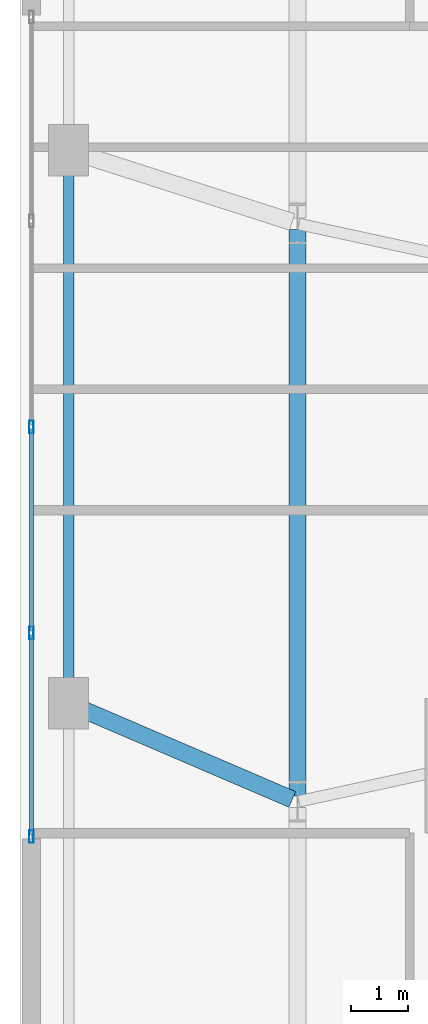
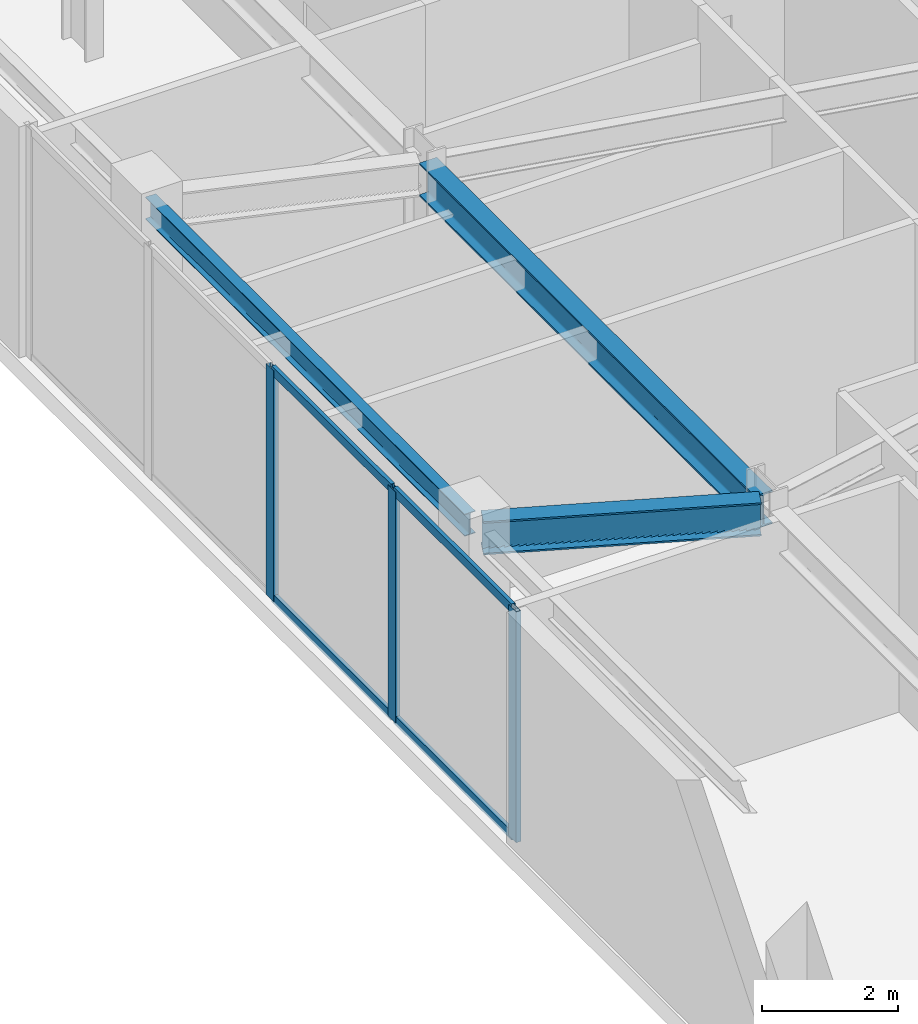
# One storey, part 5 of 21: 7 members, 3 beams, 1 element without a shape of its own.
"""IFC4 building model written with IfcOpenShell, lengths in metres."""

from ifc_helpers import new_model, si_unit, direction, frame, origin, origin_2d, place, context, subcontext, project, spatial, hollow_rectangle, i_section, extrude, material, layer, layer_set, material_profile, profile_set, type_object, element, aggregate, save


model = new_model("IFC4")

# Units and contexts
model_context = context("Model", 3, precision=1e-05, world=origin(), true_north=direction((0.0, 1.0)))
body_context = subcontext(model_context, "Body", "Model", "MODEL_VIEW")
ifc_project = project(units=[si_unit("LENGTHUNIT", "METRE"), si_unit("AREAUNIT", "SQUARE_METRE"), si_unit("VOLUMEUNIT", "CUBIC_METRE"), si_unit("PLANEANGLEUNIT", "RADIAN"), si_unit("MASSUNIT", "GRAM", prefix="KILO")], contexts=[model_context])

# Site, building, storey
site_placement = place(None, origin())
site = spatial("IfcSite", under=ifc_project, at=site_placement, CompositionType="ELEMENT")
building_placement = place(site_placement, origin())
building = spatial("IfcBuilding", under=site, at=building_placement, Name="Qobustan Lattice House", CompositionType="ELEMENT")
storey_placement = place(building_placement, frame((0.0, 0.0, 22.5)))
storey = spatial("IfcBuildingStorey", under=building, at=storey_placement, Name="L05", CompositionType="ELEMENT", Elevation=22.5)

# Beams
ifc_material_1 = material(Name="Steel S355", Category="steel")
ifc_material_profile_1 = material_profile(ifc_material_1, i_section(OverallWidth=0.300048828125, OverallDepth=0.60009765625, WebThickness=0.015380859375, FlangeThickness=0.030029296875, FilletRadius=0.027099609375, at=origin_2d()), Name="HEB600")
ifc_profile_set_1 = profile_set([ifc_material_profile_1], Name="Steel S355")
beam_type_1 = type_object("IfcBeamType", Name="BM-POD-HEB600", PredefinedType="USERDEFINED", material=ifc_profile_set_1)
beam_1_placement = place(storey_placement, frame((-32.14990234375, 4.949951171875, 3.860107421875), z_axis=(0.0, -1.0, 0.0), x_axis=(1.0, 0.0, 0.0)))
element("IfcBeam", 1, at=beam_1_placement, inside=storey, type_object=beam_type_1, Name="L05 tower base ring girder W2-W3", ObjectType="GIRDER", PredefinedType="USERDEFINED", context=body_context, shape_type="SweptSolid", body=[
    extrude(i_section(OverallWidth=0.300048828125, OverallDepth=0.60009765625, WebThickness=0.015380859375, FlangeThickness=0.030029296875, FilletRadius=0.027099609375, at=origin_2d()), origin(), (0.0, 0.0, 1.0), 9.89990234375),
])
beam_2_placement = place(storey_placement, frame((-36.039794921875, -3.380615234375, 3.860107421875), z_axis=(0.918949362679, -0.394375542893, 0.0), x_axis=(0.394375542893, 0.918949362679, 0.0)))
element("IfcBeam", 2, at=beam_2_placement, inside=storey, type_object=beam_type_1, Name="L05 podium radial girder PW2", ObjectType="GIRDER", PredefinedType="USERDEFINED", context=body_context, shape_type="SweptSolid", body=[
    extrude(i_section(OverallWidth=0.300048828125, OverallDepth=0.60009765625, WebThickness=0.015380859375, FlangeThickness=0.030029296875, FilletRadius=0.027099609375, at=origin_2d()), origin(), (0.0, 0.0, 1.0), 4.1328125),
])
ifc_material_2 = material(Name="Steel S355", Category="steel")
ifc_material_profile_2 = material_profile(ifc_material_2, i_section(OverallWidth=0.179931640625, OverallDepth=0.39990234375, WebThickness=0.008544921875, FlangeThickness=0.013427734375, FilletRadius=0.02099609375, at=origin_2d()), Name="IPE400")
ifc_profile_set_2 = profile_set([ifc_material_profile_2], Name="Steel S355")
beam_type_2 = type_object("IfcBeamType", Name="BM-SPD-IPE400", PredefinedType="SPANDREL", material=ifc_profile_set_2)
beam_3_placement = place(storey_placement, frame((-36.14990234375, -3.21337890625, 3.9599609375), z_axis=(0.0, 1.0, 0.0), x_axis=(-1.0, 0.0, 0.0)))
element("IfcBeam", 3, at=beam_3_placement, inside=storey, type_object=beam_type_2, Name="L05 podium spandrel PW2-PW3", PredefinedType="SPANDREL", context=body_context, shape_type="SweptSolid", body=[
    extrude(i_section(OverallWidth=0.179931640625, OverallDepth=0.39990234375, WebThickness=0.008544921875, FlangeThickness=0.013427734375, FilletRadius=0.02099609375, at=origin_2d()), origin(), (0.0, 0.0, 1.0), 9.4267578125),
])

# Curtain wall, members
ifc_material_3 = material(Name="Anodised aluminium and low-E glazing", Category="aluminium")
ifc_layer = layer(ifc_material_3, 0.219970703125)
ifc_layer_set = layer_set([ifc_layer], Name="Anodised aluminium and low-E glazing")
curtain_wall_type = type_object("IfcCurtainWallType", Name="CW-POD-01", PredefinedType="USERDEFINED", material=ifc_layer_set)
curtain_wall_placement = place(storey_placement, origin())
curtain_wall = element("IfcCurtainWall", 4, at=curtain_wall_placement, inside=storey, type_object=curtain_wall_type, Name="L05 W podium colonnade curtain wall", ObjectType="CURTAIN WALL", PredefinedType="USERDEFINED")
ifc_material_4 = material(Name="Anodised aluminium EN AW-6063 T6", Category="aluminium")
ifc_material_profile_3 = material_profile(ifc_material_4, hollow_rectangle(XDim=0.080078125, YDim=0.219970703125, WallThickness=0.0048828125, at=origin_2d()), Name="CWM-220x80")
ifc_profile_set_3 = profile_set([ifc_material_profile_3], Name="Anodised aluminium EN AW-6063 T6")
member_type_1 = type_object("IfcMemberType", Name="CWM-MAIN-220", PredefinedType="MULLION", material=ifc_profile_set_3)
member_1_placement = place(storey_placement, frame((-36.800048828125, -5.659912109375, 0.0), z_axis=(0.0, 0.0, 1.0), x_axis=(-1.0, 0.0, 0.0)))
member_1 = element("IfcMember", 5, at=member_1_placement, type_object=member_type_1, Name="CW-P1 mullion 1", PredefinedType="MULLION", context=body_context, shape_type="SweptSolid", body=[
    extrude(hollow_rectangle(XDim=0.080078125, YDim=0.219970703125, WallThickness=0.0048828125, at=origin_2d()), origin(), (0.0, 0.0, 1.0), 4.159912109375),
])
member_2_placement = place(storey_placement, frame((-36.800048828125, -2.10009765625, 0.0), z_axis=(0.0, 0.0, 1.0), x_axis=(-1.0, 0.0, 0.0)))
member_2 = element("IfcMember", 6, at=member_2_placement, type_object=member_type_1, Name="CW-P1 mullion 2", PredefinedType="MULLION", context=body_context, shape_type="SweptSolid", body=[
    extrude(hollow_rectangle(XDim=0.080078125, YDim=0.219970703125, WallThickness=0.0048828125, at=origin_2d()), origin(), (0.0, 0.0, 1.0), 4.159912109375),
])
member_3_placement = place(storey_placement, frame((-36.800048828125, 1.5, 0.0), z_axis=(0.0, 0.0, 1.0), x_axis=(-1.0, 0.0, 0.0)))
member_3 = element("IfcMember", 7, at=member_3_placement, type_object=member_type_1, Name="CW-P1 mullion 3", PredefinedType="MULLION", context=body_context, shape_type="SweptSolid", body=[
    extrude(hollow_rectangle(XDim=0.080078125, YDim=0.219970703125, WallThickness=0.0048828125, at=origin_2d()), origin(), (0.0, 0.0, 1.0), 4.159912109375),
])
ifc_material_5 = material(Name="Anodised aluminium EN AW-6063 T6", Category="aluminium")
ifc_material_profile_4 = material_profile(ifc_material_5, hollow_rectangle(XDim=0.06494140625, YDim=0.159912109375, WallThickness=0.00390625, at=origin_2d()), Name="CWT-160x65")
ifc_profile_set_4 = profile_set([ifc_material_profile_4], Name="Anodised aluminium EN AW-6063 T6")
member_type_2 = type_object("IfcMemberType", Name="CWT-HOR-160", PredefinedType="USERDEFINED", material=ifc_profile_set_4)
member_4_placement = place(storey_placement, frame((-36.800048828125, -5.6201171875, 0.032470703125), z_axis=(0.0, 1.0, 0.0), x_axis=(-1.0, 0.0, 0.0)))
member_4 = element("IfcMember", 8, at=member_4_placement, type_object=member_type_2, Name="CW-P1 transom 1.1", ObjectType="TRANSOM", PredefinedType="USERDEFINED", context=body_context, shape_type="SweptSolid", body=[
    extrude(hollow_rectangle(XDim=0.06494140625, YDim=0.159912109375, WallThickness=0.00390625, at=origin_2d()), origin(), (0.0, 0.0, 1.0), 3.480224609375),
])
member_5_placement = place(storey_placement, frame((-36.800048828125, -5.6201171875, 4.12744140625), z_axis=(0.0, 1.0, 0.0), x_axis=(-1.0, 0.0, 0.0)))
member_5 = element("IfcMember", 9, at=member_5_placement, type_object=member_type_2, Name="CW-P1 transom 1.2", ObjectType="TRANSOM", PredefinedType="USERDEFINED", context=body_context, shape_type="SweptSolid", body=[
    extrude(hollow_rectangle(XDim=0.06494140625, YDim=0.159912109375, WallThickness=0.00390625, at=origin_2d()), origin(), (0.0, 0.0, 1.0), 3.480224609375),
])
member_6_placement = place(storey_placement, frame((-36.800048828125, -2.06005859375, 0.032470703125), z_axis=(0.0, 1.0, 0.0), x_axis=(-1.0, 0.0, 0.0)))
member_6 = element("IfcMember", 10, at=member_6_placement, type_object=member_type_2, Name="CW-P1 transom 2.1", ObjectType="TRANSOM", PredefinedType="USERDEFINED", context=body_context, shape_type="SweptSolid", body=[
    extrude(hollow_rectangle(XDim=0.06494140625, YDim=0.159912109375, WallThickness=0.00390625, at=origin_2d()), origin(), (0.0, 0.0, 1.0), 3.52001953125),
])
member_7_placement = place(storey_placement, frame((-36.800048828125, -2.06005859375, 4.12744140625), z_axis=(0.0, 1.0, 0.0), x_axis=(-1.0, 0.0, 0.0)))
member_7 = element("IfcMember", 11, at=member_7_placement, type_object=member_type_2, Name="CW-P1 transom 2.2", ObjectType="TRANSOM", PredefinedType="USERDEFINED", context=body_context, shape_type="SweptSolid", body=[
    extrude(hollow_rectangle(XDim=0.06494140625, YDim=0.159912109375, WallThickness=0.00390625, at=origin_2d()), origin(), (0.0, 0.0, 1.0), 3.52001953125),
])
aggregate(curtain_wall, [member_1, member_2, member_3, member_4, member_5, member_6, member_7])

save(model, "model.ifc")
